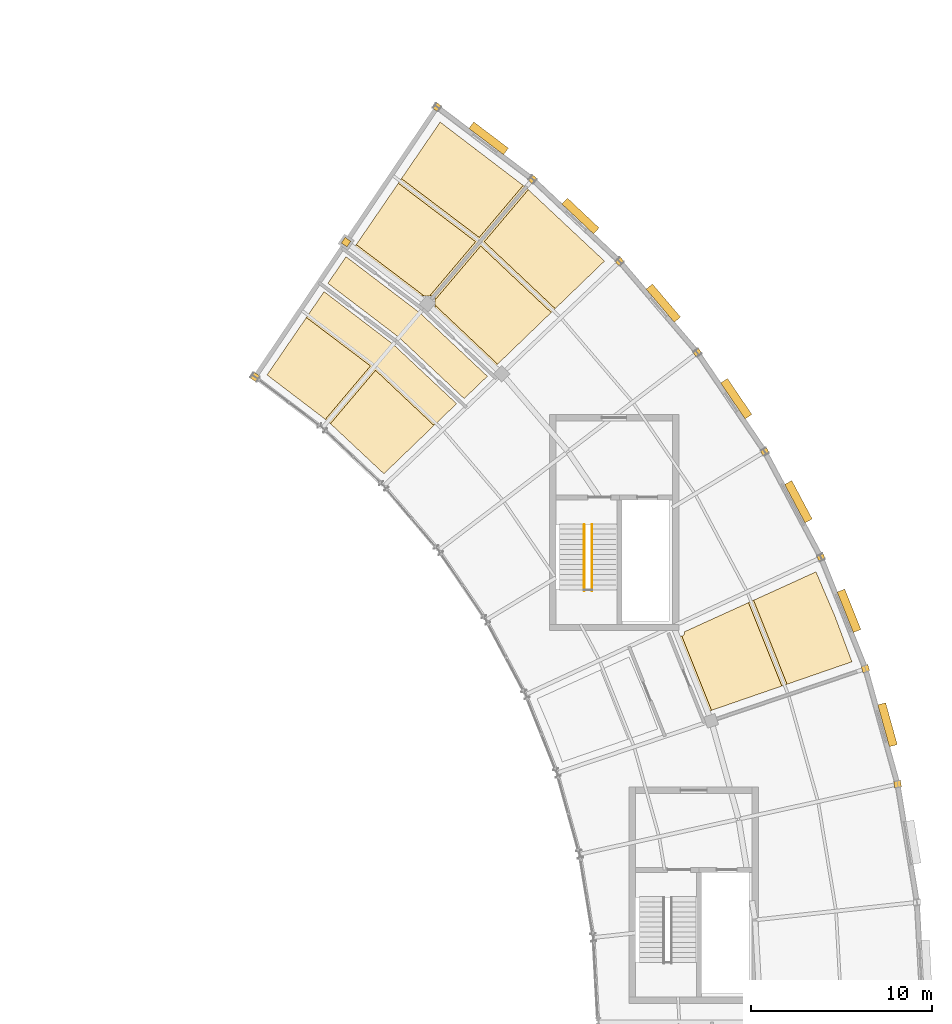
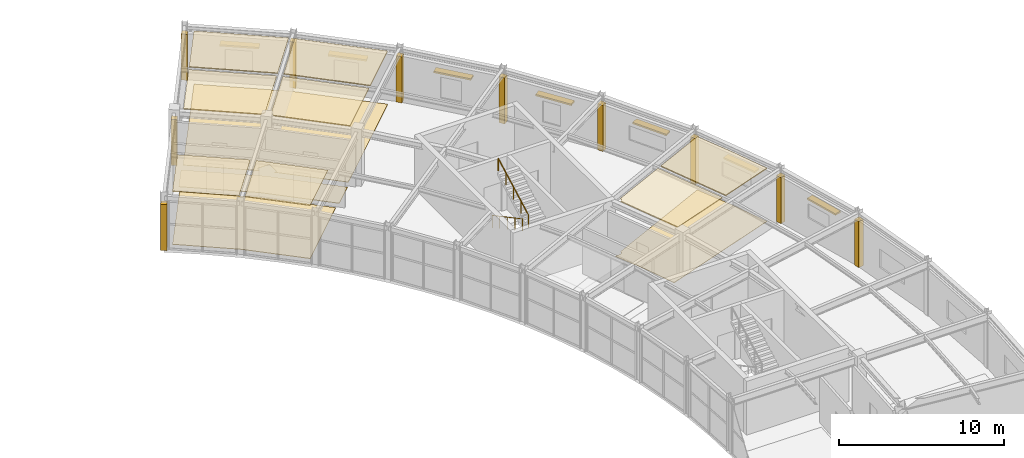
# One storey, part 63 of 63: 22 coverings, 7 shading devices, 2 railings.
"""IFC4 building model written with IfcOpenShell, lengths in metres."""

from ifc_helpers import new_model, si_unit, direction, frame, origin, origin_2d, place, context, subcontext, project, spatial, polyline, rectangle, circle, outline, extrude, material, layer, layer_set, type_object, element, save


model = new_model("IFC4")

# Units and contexts
model_context = context("Model", 3, precision=1e-05, world=origin(), true_north=direction((0.0, 1.0)))
body_context = subcontext(model_context, "Body", "Model", "MODEL_VIEW")
ifc_project = project(units=[si_unit("LENGTHUNIT", "METRE"), si_unit("AREAUNIT", "SQUARE_METRE"), si_unit("VOLUMEUNIT", "CUBIC_METRE"), si_unit("PLANEANGLEUNIT", "RADIAN"), si_unit("MASSUNIT", "GRAM", prefix="KILO")], contexts=[model_context])

# Site, building, storey
site_placement = place(None, origin())
site = spatial("IfcSite", under=ifc_project, at=site_placement, CompositionType="ELEMENT")
building_placement = place(site_placement, origin())
building = spatial("IfcBuilding", under=site, at=building_placement, Name="Tarnveldt Headland Concert Hall", CompositionType="ELEMENT")
storey_placement = place(building_placement, frame((0.0, 0.0, 14.39990234375)))
storey = spatial("IfcBuildingStorey", under=building, at=storey_placement, Name="L03", CompositionType="ELEMENT", Elevation=14.39990234375)

# Coverings
ifc_material_1 = material(Name="Micro-perforated mvule acoustic ceiling panel", Category="timber")
ifc_layer_1 = layer(ifc_material_1, 0.050048828125, Name="Micro-perforated mvule acoustic ceiling panel", Category="timber")
ifc_layer_set_1 = layer_set([ifc_layer_1], Name="Micro-perforated mvule acoustic ceiling panel")
covering_type_1 = type_object("IfcCoveringType", Name="CV-CEIL50", PredefinedType="CEILING", material=ifc_layer_set_1)
covering_1_placement = place(storey_placement, frame((0.0, 0.0, 3.91015625)))
element("IfcCovering", 1, at=covering_1_placement, inside=storey, type_object=covering_type_1, Name="Acoustic mvule ceiling L03-25-319", PredefinedType="CEILING", context=body_context, shape_type="SweptSolid", body=[
    extrude(outline(polyline([(145.712646484375, 93.072509765625), (148.207763671875, 96.022705078125), (151.439208984375, 92.97412109375), (148.6689453125, 90.302734375), (145.712646484375, 93.072509765625)])), origin(), (0.0, 0.0, 1.0), 0.050048828125),
])
covering_2_placement = place(storey_placement, frame((0.0, 0.0, 3.91015625)))
element("IfcCovering", 2, at=covering_2_placement, inside=storey, type_object=covering_type_1, Name="Acoustic mvule ceiling L03-25-320", PredefinedType="CEILING", context=body_context, shape_type="SweptSolid", body=[
    extrude(outline(polyline([(147.92529296875, 96.26171875), (145.43017578125, 93.311279296875), (142.208251953125, 95.766845703125), (144.38232421875, 98.942138671875), (147.92529296875, 96.26171875)])), origin(), (0.0, 0.0, 1.0), 0.050048828125),
])
ifc_layer_2 = layer(ifc_material_1, 0.06494140625, Name="Micro-perforated mvule acoustic ceiling panel", Category="timber")
ifc_layer_set_2 = layer_set([ifc_layer_2], Name="Micro-perforated mvule acoustic ceiling panel")
covering_type_2 = type_object("IfcCoveringType", Name="CV-CEIL65", PredefinedType="CEILING", material=ifc_layer_set_2)
covering_3_placement = place(storey_placement, frame((0.0, 0.0, 3.89501953125)))
element("IfcCovering", 3, at=covering_3_placement, inside=storey, type_object=covering_type_2, Name="Acoustic mvule ceiling L03-28-321", PredefinedType="CEILING", context=body_context, shape_type="SweptSolid", body=[
    extrude(outline(polyline([(165.184814453125, 81.34130859375), (165.199951171875, 81.350341796875), (165.214111328125, 81.36083984375), (165.227294921875, 81.372802734375), (165.239013671875, 81.3857421875), (165.249755859375, 81.39990234375), (165.2587890625, 81.4150390625), (165.266357421875, 81.43115234375), (165.272216796875, 81.44775390625), (165.276611328125, 81.46484375), (165.279052734375, 81.482421875), (165.280029296875, 81.5), (165.280029296875, 81.565673828125), (168.82470703125, 83.18017578125), (170.667724609375, 78.56689453125), (166.780517578125, 77.22314453125), (165.141845703125, 81.3251953125), (165.15234375, 81.327880859375), (165.1689453125, 81.333740234375), (165.184814453125, 81.34130859375)])), origin(), (0.0, 0.0, 1.0), 0.065185546875),
])
covering_4_placement = place(storey_placement, frame((0.0, 0.0, 3.89501953125)))
element("IfcCovering", 4, at=covering_4_placement, inside=storey, type_object=covering_type_2, Name="Acoustic mvule ceiling L03-28-322", PredefinedType="CEILING", context=body_context, shape_type="SweptSolid", body=[
    extrude(outline(polyline([(173.60791015625, 82.416259765625), (174.54248046875, 79.906005859375), (170.961181640625, 78.668212890625), (169.107177734375, 83.308837890625), (172.555419921875, 84.87939453125), (173.60791015625, 82.416259765625)])), origin(), (0.0, 0.0, 1.0), 0.065185546875),
])
covering_5_placement = place(storey_placement, frame((0.0, 0.0, 3.89501953125)))
element("IfcCovering", 5, at=covering_5_placement, inside=storey, type_object=covering_type_2, Name="Acoustic mvule ceiling L03-29-323", PredefinedType="CEILING", context=body_context, shape_type="SweptSolid", body=[
    extrude(outline(polyline([(153.9375, 103.37060546875), (149.640625, 106.62158203125), (151.778564453125, 109.743896484375), (156.368896484375, 106.24560546875), (153.9375, 103.37060546875)])), origin(), (0.0, 0.0, 1.0), 0.065185546875),
])
covering_6_placement = place(storey_placement, frame((0.0, 0.0, 3.89501953125)))
element("IfcCovering", 6, at=covering_6_placement, inside=storey, type_object=covering_type_2, Name="Acoustic mvule ceiling L03-29-324", PredefinedType="CEILING", context=body_context, shape_type="SweptSolid", body=[
    extrude(outline(polyline([(150.898681640625, 100.12939453125), (147.1416015625, 102.971923828125), (149.46533203125, 106.365478515625), (153.737060546875, 103.133544921875), (151.1962890625, 100.12939453125), (150.898681640625, 100.12939453125)])), origin(), (0.0, 0.0, 1.0), 0.065185546875),
])
covering_7_placement = place(storey_placement, frame((0.0, 0.0, 3.89501953125)))
element("IfcCovering", 7, at=covering_7_placement, inside=storey, type_object=covering_type_2, Name="Acoustic mvule ceiling L03-29-325", PredefinedType="CEILING", context=body_context, shape_type="SweptSolid", body=[
    extrude(outline(polyline([(156.651611328125, 106.006591796875), (160.86328125, 102.060546875), (158.139404296875, 99.43408203125), (154.22021484375, 103.131591796875), (156.651611328125, 106.006591796875)])), origin(), (0.0, 0.0, 1.0), 0.065185546875),
])
covering_8_placement = place(storey_placement, frame((0.0, 0.0, 3.89501953125)))
element("IfcCovering", 8, at=covering_8_placement, inside=storey, type_object=covering_type_2, Name="Acoustic mvule ceiling L03-29-326", PredefinedType="CEILING", context=body_context, shape_type="SweptSolid", body=[
    extrude(outline(polyline([(151.504150390625, 99.92041015625), (154.01953125, 102.89453125), (157.916015625, 99.21875), (154.955078125, 96.364013671875), (151.504150390625, 99.61962890625), (151.504150390625, 99.92041015625)])), origin(), (0.0, 0.0, 1.0), 0.065185546875),
])
ifc_material_2 = material(Name="Treated East African mvule hardwood", Category="wood")
ifc_layer_3 = layer(ifc_material_2, 0.028076171875, Name="Treated East African mvule hardwood", Category="wood")
ifc_layer_set_3 = layer_set([ifc_layer_3], Name="Treated East African mvule hardwood")
covering_type_3 = type_object("IfcCoveringType", Name="CV-FLOR28", PredefinedType="FLOORING", material=ifc_layer_set_3)
covering_9_placement = place(storey_placement, origin())
element("IfcCovering", 9, at=covering_9_placement, inside=storey, type_object=covering_type_3, Name="Architectural flooring L03-28-114", PredefinedType="FLOORING", context=body_context, shape_type="SweptSolid", body=[
    extrude(outline(polyline([(165.10009765625, 81.320068359375), (165.11767578125, 81.32080078125), (165.135009765625, 81.323486328125), (165.15234375, 81.327880859375), (165.1689453125, 81.333740234375), (165.184814453125, 81.34130859375), (165.199951171875, 81.350341796875), (165.214111328125, 81.36083984375), (165.227294921875, 81.372802734375), (165.239013671875, 81.3857421875), (165.249755859375, 81.39990234375), (165.2587890625, 81.4150390625), (165.266357421875, 81.43115234375), (165.272216796875, 81.44775390625), (165.276611328125, 81.46484375), (165.279052734375, 81.482421875), (165.280029296875, 81.5), (165.280029296875, 81.565673828125), (172.555419921875, 84.87939453125), (173.60791015625, 82.416259765625), (174.54248046875, 79.906005859375), (166.4521484375, 77.10986328125), (165.660400390625, 79.236572265625), (165.656982421875, 79.244384765625), (164.7705078125, 81.320068359375), (165.10009765625, 81.320068359375)])), origin(), (0.0, 0.0, 1.0), 0.028076171875),
])
covering_10_placement = place(storey_placement, origin())
element("IfcCovering", 10, at=covering_10_placement, inside=storey, type_object=covering_type_3, Name="Architectural flooring L03-29-115", PredefinedType="FLOORING", context=body_context, shape_type="SweptSolid", body=[
    extrude(outline(polyline([(154.701416015625, 96.119384765625), (151.32861328125, 99.279296875), (151.504150390625, 99.279296875), (151.504150390625, 100.12939453125), (150.654296875, 100.12939453125), (150.654296875, 99.852783203125), (146.942626953125, 102.681396484375), (146.9453125, 102.68505859375), (147.0029296875, 102.68505859375), (147.0029296875, 102.76953125), (151.778564453125, 109.743896484375), (156.516357421875, 106.13330078125), (160.86328125, 102.060546875), (154.84326171875, 96.256103515625), (154.759765625, 96.256103515625), (154.759765625, 96.175537109375), (154.701416015625, 96.119384765625)])), origin(), (0.0, 0.0, 1.0), 0.028076171875),
])
ifc_material_3 = material(Name="Polished coral-aggregate cementitious terrazzo flooring", Category="concrete")
ifc_layer_4 = layer(ifc_material_3, 0.034912109375, Name="Polished coral-aggregate cementitious terrazzo flooring", Category="concrete")
ifc_layer_set_4 = layer_set([ifc_layer_4], Name="Polished coral-aggregate cementitious terrazzo flooring")
covering_type_4 = type_object("IfcCoveringType", Name="CV-FLOR35", PredefinedType="FLOORING", material=ifc_layer_set_4)
covering_11_placement = place(storey_placement, origin())
element("IfcCovering", 11, at=covering_11_placement, inside=storey, type_object=covering_type_4, Name="Architectural flooring L03-22-108", PredefinedType="FLOORING", context=body_context, shape_type="SweptSolid", body=[
    extrude(outline(polyline([(153.10595703125, 94.460693359375), (149.510498046875, 97.835205078125), (149.496337890625, 97.84716796875), (145.572021484375, 100.83251953125), (146.57470703125, 102.302490234375), (150.65283203125, 99.2001953125), (154.38916015625, 95.69384765625), (153.10595703125, 94.460693359375)])), origin(), (0.0, 0.0, 1.0), 0.03515625),
])
covering_12_placement = place(storey_placement, origin())
element("IfcCovering", 12, at=covering_12_placement, inside=storey, type_object=covering_type_4, Name="Architectural flooring L03-25-111", PredefinedType="FLOORING", context=body_context, shape_type="SweptSolid", body=[
    extrude(outline(polyline([(148.6689453125, 90.302734375), (145.584228515625, 93.19287109375), (145.5703125, 93.20458984375), (142.208251953125, 95.766845703125), (145.360595703125, 100.37060546875), (149.180419921875, 97.45947265625), (152.685546875, 94.175537109375), (148.6689453125, 90.302734375)])), origin(), (0.0, 0.0, 1.0), 0.03515625),
])
ifc_material_4 = material(Name="Coral-toned precast concrete C40/50", Category="concrete")
ifc_layer_5 = layer(ifc_material_4, 0.360107421875, Name="Coral-toned precast concrete C40/50", Category="concrete")
ifc_layer_set_5 = layer_set([ifc_layer_5], Name="Coral-toned precast concrete C40/50")
covering_type_5 = type_object("IfcCoveringType", Name="CV-JNT360", PredefinedType="CLADDING", material=ifc_layer_set_5)
for number, where, z_axis, x_axis, name in (
    (13, (141.54541015625, 95.648681640625, 0.000244140625), (0.0, 0.0, 1.0), (0.559192903471, 0.829037572555, 0.0), "Precast facade joint closure pilaster L03-317"),
    (14, (146.577880859375, 103.110107421875, 0.000244140625), (0.0, 0.0, 1.0), (0.559192903471, 0.829037572555, 0.0), "Precast facade joint closure pilaster L03-318"),
    (15, (151.61083984375, 110.5712890625, 0.000244140625), (0.0, 0.0, 1.0), (0.797478637023, -0.603347183213, 0.0), "Precast facade joint closure pilaster L03-319"),
    (16, (156.89111328125, 106.576416015625, 0.000244140625), (0.0, 0.0, 1.0), (0.727413564262, -0.686199319824, 0.0), "Precast facade joint closure pilaster L03-320"),
    (17, (161.70703125, 102.032470703125, 0.000244140625), (0.0, 0.0, 1.0), (0.648651397111, -0.761085648942, 0.0), "Precast facade joint closure pilaster L03-322"),
    (18, (166.00244140625, 96.993408203125, 0.000244140625), (0.0, 0.0, 1.0), (0.562372049186, -0.826884319778, 0.0), "Precast facade joint closure pilaster L03-323"),
    (19, (169.726318359375, 91.518798828125, 0.000244140625), (0.0, 0.0, 1.0), (0.469471562786, -0.882947592859, 0.0), "Precast facade joint closure pilaster L03-325"),
    (20, (172.834716796875, 85.672607421875, 0.000244140625), (0.0, 0.0, 1.0), (0.371043710237, -0.928615402141, 0.0), "Precast facade joint closure pilaster L03-326"),
    (21, (175.291259765625, 79.523681640625, 0.000244140625), (0.0, 0.0, 1.0), (0.268079200424, -0.963396876837, 0.0), "Precast facade joint closure pilaster L03-327"),
    (22, (177.06689453125, 73.14501953125, 0.000244140625), (0.0, 0.0, 1.0), (0.162120515372, -0.986770965572, 0.0), "Precast facade joint closure pilaster L03-329"),
):
    element("IfcCovering", number, at=place(storey_placement, frame(where, z_axis=z_axis, x_axis=x_axis)), inside=storey, type_object=covering_type_5, Name=name, PredefinedType="CLADDING", context=body_context, shape_type="SweptSolid", body=[
        extrude(rectangle(XDim=0.3798828125, YDim=0.3798828125, at=origin_2d()), origin(), (0.0, 0.0, 1.0), 3.39794921875),
    ])

# Railings
ifc_material_5 = material(Name="Marine stainless steel", Category="steel")
ifc_layer_6 = layer(ifc_material_5, 0.048095703125, Name="Marine stainless steel", Category="steel")
ifc_layer_set_6 = layer_set([ifc_layer_6], Name="Marine stainless steel")
railing_type = type_object("IfcRailingType", Name="RL-HND092", PredefinedType="HANDRAIL", material=ifc_layer_set_6)
railing_1_placement = place(storey_placement, frame((159.75, 87.47998046875, 0.150146484375)))
element("IfcRailing", 23, at=railing_1_placement, inside=storey, type_object=railing_type, Name="HANDRAIL STR-C3-L03 flight 1", PredefinedType="HANDRAIL", context=body_context, shape_type="SweptSolid", body=[
    extrude(circle(Radius=0.02392578125, at=origin_2d()), frame((0.0, 0.0, 0.89599609375), z_axis=(0.0, -0.881479091078, 0.472223053219), x_axis=(1.0, 0.0, 0.0)), (0.0, 0.0, 1.0), 4.12939453125),
    extrude(circle(Radius=0.02099609375, at=origin_2d()), origin(), (0.0, 0.0, 1.0), 0.871826171875),
    extrude(circle(Radius=0.02099609375, at=origin_2d()), frame((0.0, -0.909912109375, 0.487548828125)), (0.0, 0.0, 1.0), 0.871826171875),
    extrude(circle(Radius=0.02099609375, at=origin_2d()), frame((0.0, -1.81982421875, 0.97509765625)), (0.0, 0.0, 1.0), 0.871826171875),
    extrude(circle(Radius=0.02099609375, at=origin_2d()), frame((0.0, -2.72998046875, 1.46240234375)), (0.0, 0.0, 1.0), 0.871826171875),
    extrude(circle(Radius=0.02099609375, at=origin_2d()), frame((0.0, -3.639892578125, 1.949951171875)), (0.0, 0.0, 1.0), 0.871826171875),
])
railing_2_placement = place(storey_placement, frame((160.169921875, 83.840087890625, 2.25)))
element("IfcRailing", 24, at=railing_2_placement, inside=storey, type_object=railing_type, Name="HANDRAIL STR-C3-L03 flight 2", PredefinedType="HANDRAIL", context=body_context, shape_type="SweptSolid", body=[
    extrude(circle(Radius=0.02392578125, at=origin_2d()), frame((0.0, 0.0, 0.89599609375), z_axis=(0.0, 0.88145447994, 0.472268990929), x_axis=(-1.0, 0.0, 0.0)), (0.0, 0.0, 1.0), 4.12939453125),
    extrude(circle(Radius=0.02099609375, at=origin_2d()), origin(), (0.0, 0.0, 1.0), 0.871826171875),
    extrude(circle(Radius=0.02099609375, at=origin_2d()), frame((0.0, 0.909912109375, 0.487548828125)), (0.0, 0.0, 1.0), 0.871826171875),
    extrude(circle(Radius=0.02099609375, at=origin_2d()), frame((0.0, 1.81982421875, 0.97509765625)), (0.0, 0.0, 1.0), 0.871826171875),
    extrude(circle(Radius=0.02099609375, at=origin_2d()), frame((0.0, 2.72998046875, 1.462646484375)), (0.0, 0.0, 1.0), 0.871826171875),
    extrude(circle(Radius=0.02099609375, at=origin_2d()), frame((0.0, 3.639892578125, 1.9501953125)), (0.0, 0.0, 1.0), 0.871826171875),
])

# Shading devices
ifc_material_6 = material(Name="Terracotta-anodised aluminium EN AW-6063-T6", Category="masonry")
shading_device_type = type_object("IfcShadingDeviceType", Name="SD-LVR450", PredefinedType="USERDEFINED", material=ifc_material_6)
for number, where, z_axis, x_axis, name in (
    (25, (176.511474609375, 76.427001953125, 2.570068359375), (0.0, 0.0, 1.0), (0.963350073517, 0.268247340815, 0.0), "Crescent coastal solar louvre L03-12"),
    (26, (174.38330078125, 82.72607421875, 2.570068359375), (0.0, 0.0, 1.0), (0.928615402141, 0.371043710237, 0.0), "Crescent coastal solar louvre L03-13"),
    (27, (171.585205078125, 88.757568359375, 2.570068359375), (0.0, 0.0, 1.0), (0.882947592859, 0.469471562786, 0.0), "Crescent coastal solar louvre L03-14"),
    (28, (168.149658203125, 94.4501953125, 2.469970703125), (0.0, 0.0, 1.0), (0.826884319778, 0.562372049186, 0.0), "Crescent coastal solar louvre L03-15"),
    (29, (164.1171875, 99.73681640625, 2.469970703125), (0.0, 0.0, 1.0), (0.761085648942, 0.648651397111, 0.0), "Crescent coastal solar louvre L03-16"),
    (30, (159.535888671875, 104.555419921875, 2.469970703125), (0.0, 0.0, 1.0), (0.686199319824, 0.727413564262, 0.0), "Crescent coastal solar louvre L03-17"),
    (31, (154.458984375, 108.848876953125, 2.469970703125), (0.0, 0.0, 1.0), (0.603347183213, 0.797478637023, 0.0), "Crescent coastal solar louvre L03-18"),
):
    element("IfcShadingDevice", number, at=place(storey_placement, frame(where, z_axis=z_axis, x_axis=x_axis)), inside=storey, type_object=shading_device_type, Name=name, ObjectType="LOUVRE", PredefinedType="USERDEFINED", context=body_context, shape_type="SweptSolid", body=[
        extrude(rectangle(XDim=0.449951171875, YDim=2.39990234375, at=origin_2d()), origin(), (0.0, 0.0, 1.0), 0.1201171875),
    ])

save(model, "model.ifc")
